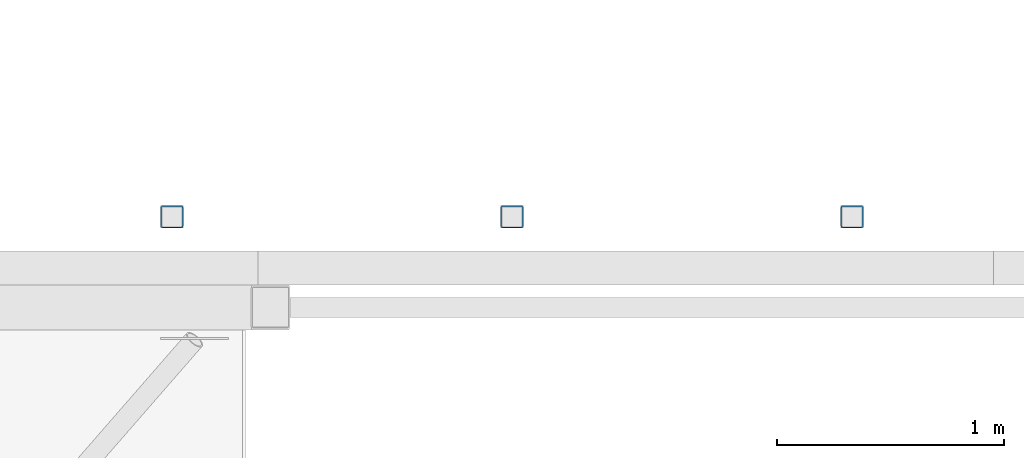
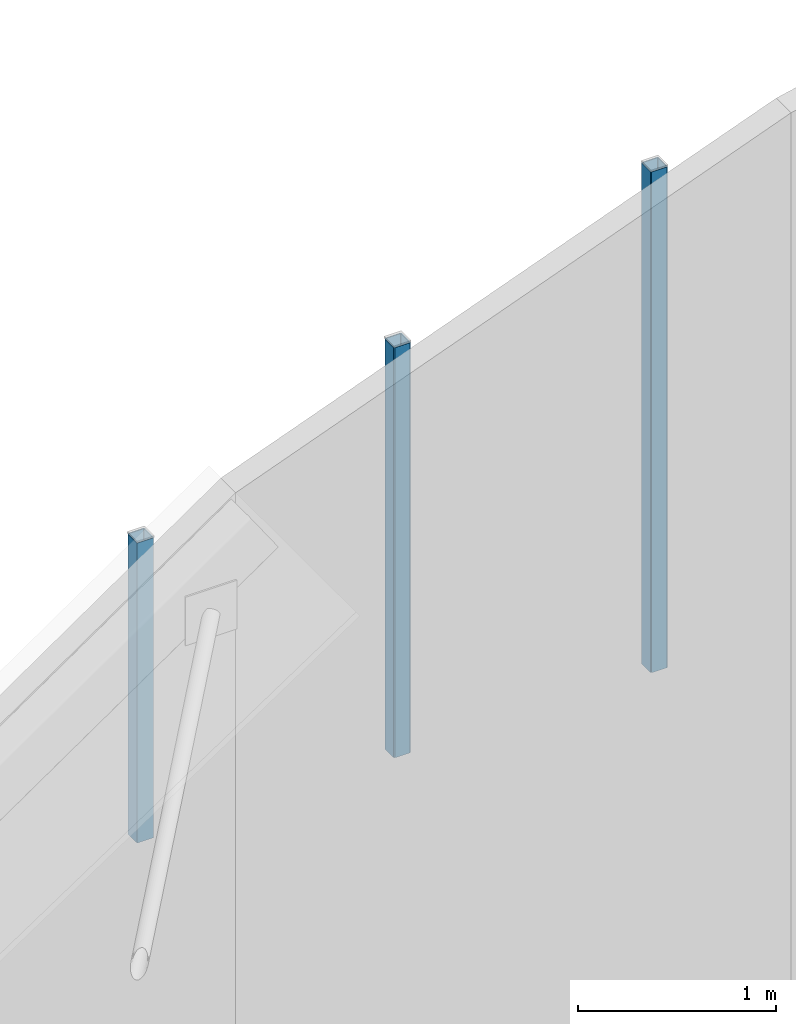
# One storey, part 6 of 43: 3 members.
"""IFC4 building model written with IfcOpenShell, lengths in metres."""

from ifc_helpers import new_model, si_unit, direction, frame, origin, origin_2d, place, context, subcontext, project, spatial, hollow_rectangle, extrude, material, material_profile, profile_set, type_object, element, save


model = new_model("IFC4")

# Units and contexts
model_context = context("Model", 3, precision=1e-05, world=origin(), true_north=direction((0.0, 1.0)))
body_context = subcontext(model_context, "Body", "Model", "MODEL_VIEW")
ifc_project = project(units=[si_unit("LENGTHUNIT", "METRE"), si_unit("AREAUNIT", "SQUARE_METRE"), si_unit("VOLUMEUNIT", "CUBIC_METRE"), si_unit("PLANEANGLEUNIT", "RADIAN"), si_unit("MASSUNIT", "GRAM", prefix="KILO")], contexts=[model_context])

# Site, building, storey
site_placement = place(None, origin())
site = spatial("IfcSite", under=ifc_project, at=site_placement, CompositionType="ELEMENT")
building_placement = place(site_placement, origin())
building = spatial("IfcBuilding", under=site, at=building_placement, Name="Saffron Lane Theatres", CompositionType="ELEMENT")
storey_placement = place(building_placement, frame((0.0, 0.0, 23.0)))
storey = spatial("IfcBuildingStorey", under=building, at=storey_placement, Name="Roof", CompositionType="ELEMENT", Elevation=23.0)

# Members
ifc_material = material(Name="Steel Grade 350", Category="steel")
ifc_material_profile = material_profile(ifc_material, hollow_rectangle(XDim=0.10009765625, YDim=0.10009765625, WallThickness=0.006103515625, InnerFilletRadius=0.0029296875, OuterFilletRadius=0.009033203125, at=origin_2d()))
ifc_profile_set = profile_set([ifc_material_profile], Name="Steel Grade 350")
member_type = type_object("IfcMemberType", Name="ST-LANTERN POST 100x100x6 SHS", PredefinedType="POST", material=ifc_profile_set)
member_1_placement = place(storey_placement, frame((27.0, 89.75, 5.0), z_axis=(0.0, 0.0, 1.0), x_axis=(1.0, 0.0, 0.0)))
element("IfcMember", 1, at=member_1_placement, inside=storey, type_object=member_type, Name="VL2", PredefinedType="POST", context=body_context, shape_type="SweptSolid", body=[
    extrude(hollow_rectangle(XDim=0.10009765625, YDim=0.10009765625, WallThickness=0.006103515625, InnerFilletRadius=0.0029296875, OuterFilletRadius=0.009033203125, at=origin_2d()), origin(), (0.0, 0.0, 1.0), 1.85205078125),
])
member_2_placement = place(storey_placement, frame((28.5, 89.75, 5.0), z_axis=(0.0, 0.0, 1.0), x_axis=(1.0, 0.0, 0.0)))
element("IfcMember", 2, at=member_2_placement, inside=storey, type_object=member_type, Name="VL3", PredefinedType="POST", context=body_context, shape_type="SweptSolid", body=[
    extrude(hollow_rectangle(XDim=0.10009765625, YDim=0.10009765625, WallThickness=0.006103515625, InnerFilletRadius=0.0029296875, OuterFilletRadius=0.009033203125, at=origin_2d()), origin(), (0.0, 0.0, 1.0), 2.53173828125),
])
member_3_placement = place(storey_placement, frame((30.0, 89.75, 5.0), z_axis=(0.0, 0.0, 1.0), x_axis=(1.0, 0.0, 0.0)))
element("IfcMember", 3, at=member_3_placement, inside=storey, type_object=member_type, Name="VL4", PredefinedType="POST", context=body_context, shape_type="SweptSolid", body=[
    extrude(hollow_rectangle(XDim=0.10009765625, YDim=0.10009765625, WallThickness=0.006103515625, InnerFilletRadius=0.0029296875, OuterFilletRadius=0.009033203125, at=origin_2d()), origin(), (0.0, 0.0, 1.0), 3.091552734375),
])

save(model, "model.ifc")
